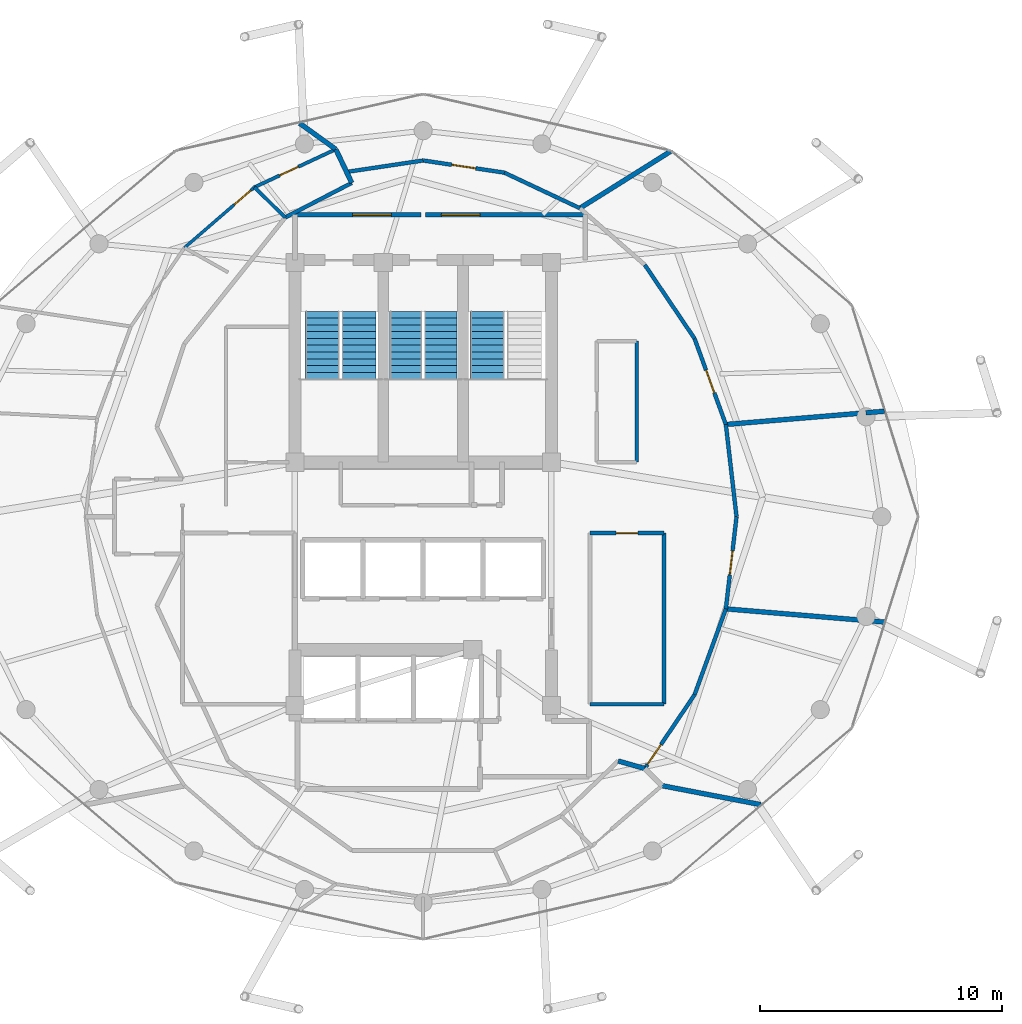
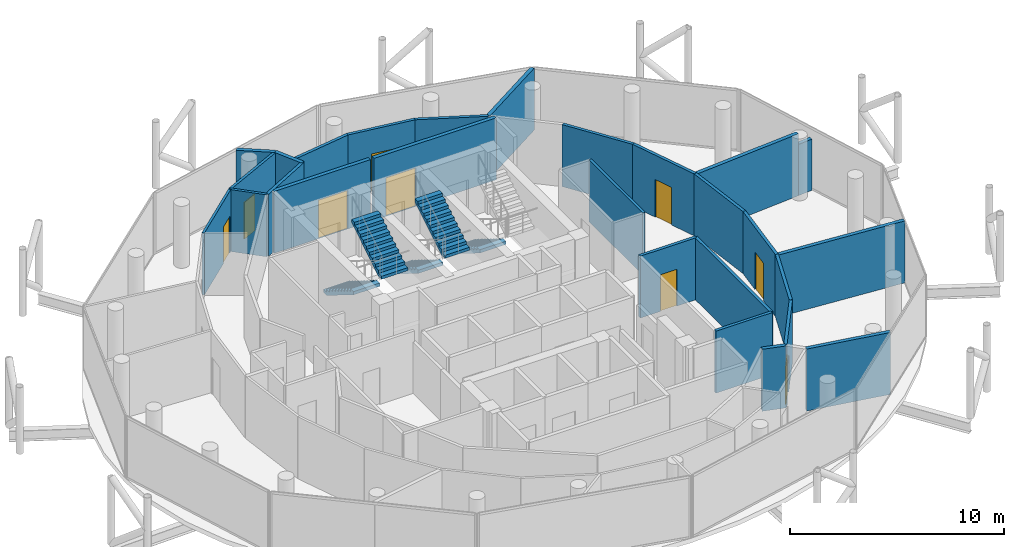
# One storey, part 22 of 24: 27 walls, 9 doors, 5 stair flights, 9 openings, 3 elements without a shape of their own.
"""IFC4 building model written with IfcOpenShell, lengths in metres."""

from ifc_helpers import new_model, si_unit, direction, frame, frame_2d, origin, place, context, subcontext, project, spatial, polyline, rectangle, outline, extrude, material, layer, layer_set, type_object, element, fill, aggregate, save


model = new_model("IFC4")

# Units and contexts
model_context = context("Model", 3, precision=1e-05, world=origin(), true_north=direction((0.0, 1.0)))
body_context = subcontext(model_context, "Body", "Model", "MODEL_VIEW")
ifc_project = project(units=[si_unit("LENGTHUNIT", "METRE"), si_unit("AREAUNIT", "SQUARE_METRE"), si_unit("VOLUMEUNIT", "CUBIC_METRE"), si_unit("PLANEANGLEUNIT", "RADIAN"), si_unit("MASSUNIT", "GRAM", prefix="KILO")], contexts=[model_context])

# Site, building, storey
site_placement = place(None, origin())
site = spatial("IfcSite", under=ifc_project, at=site_placement, CompositionType="ELEMENT")
building_placement = place(site_placement, origin())
building = spatial("IfcBuilding", under=site, at=building_placement, Name="Nuhasar Tower", CompositionType="ELEMENT")
storey_placement = place(building_placement, frame((0.0, 0.0, 286.0)))
storey = spatial("IfcBuildingStorey", under=building, at=storey_placement, Name="L71", CompositionType="ELEMENT", Elevation=286.0)

# Walls
ifc_material_1 = material(Name="Gypsum Board", Category="gypsum")
ifc_layer_1 = layer(ifc_material_1, 0.159912109375)
ifc_layer_set_1 = layer_set([ifc_layer_1], Name="Gypsum Board")
wall_type_1 = type_object("IfcWallType", Name="WL-CORR-160", PredefinedType="PARTITIONING", material=ifc_layer_set_1)
wall_1_placement = place(storey_placement, frame((45.89990234375, 19.050048828125, 0.0), z_axis=(0.0, 0.0, 1.0), x_axis=(1.0, 0.0, 0.0)))
element("IfcWall", 1, at=wall_1_placement, inside=storey, type_object=wall_type_1, Name="L71 Interior Partition RECL-B2-S", PredefinedType="PARTITIONING", context=body_context, shape_type="SweptSolid", body=[
    extrude(rectangle(XDim=3.050048828125, YDim=0.159912109375, at=frame_2d((1.52490234375, 0.0))), origin(), (0.0, 0.0, 1.0), 3.5400390625),
])
wall_2_placement = place(storey_placement, frame((48.949951171875, 19.050048828125, 0.0), z_axis=(0.0, 0.0, 1.0), x_axis=(0.0, 1.0, 0.0)))
element("IfcWall", 2, at=wall_2_placement, inside=storey, type_object=wall_type_1, Name="L71 Interior Partition RECL-B2-E", PredefinedType="PARTITIONING", context=body_context, shape_type="SweptSolid", body=[
    extrude(rectangle(XDim=7.070068359375, YDim=0.159912109375, at=frame_2d((3.53515625, 0.0))), origin(), (0.0, 0.0, 1.0), 3.5400390625),
])

# Wall, opening, door
wall_3_placement = place(storey_placement, frame((48.949951171875, 26.1201171875, 0.0), z_axis=(0.0, 0.0, 1.0), x_axis=(-1.0, 0.0, 0.0)))
wall_3 = element("IfcWall", 3, at=wall_3_placement, inside=storey, type_object=wall_type_1, Name="L71 Interior Partition RECL-B2-N", PredefinedType="PARTITIONING", context=body_context, shape_type="SweptSolid", body=[
    extrude(rectangle(XDim=3.050048828125, YDim=0.159912109375, at=frame_2d((1.52490234375, 0.0))), origin(), (0.0, 0.0, 1.0), 3.5400390625),
])
opening_1_placement = place(wall_3_placement, frame((1.074951171875, 0.0, 0.0)))
opening_1 = element("IfcOpeningElement", 4, at=opening_1_placement, cuts=wall_3, Name="Opening DR-01", PredefinedType="OPENING", context=body_context, shape_type="SweptSolid", body=[
    extrude(rectangle(XDim=0.89990234375, YDim=2.10009765625, at=frame_2d((0.449951171875, 1.050048828125))), frame((0.0, 0.08984375, 0.0), z_axis=(0.0, -1.0, 0.0), x_axis=(1.0, 0.0, 0.0)), (0.0, 0.0, 1.0), 0.179931640625),
])
ifc_material_2 = material(Name="Timber Oak", Category="wood")
door_type_1 = type_object("IfcDoorType", Name="DR-ROOM-900", OperationType="NOTDEFINED", PredefinedType="DOOR", material=ifc_material_2)
door_1_placement = place(opening_1_placement, origin())
door_1 = element("IfcDoor", 5, at=door_1_placement, inside=storey, type_object=door_type_1, Name="L71 Resident Library Door", OperationType="SINGLE_SWING_LEFT", OverallHeight=2.10009765625, OverallWidth=0.89990234375, PredefinedType="DOOR", context=body_context, shape_type="SweptSolid", body=[
    extrude(rectangle(XDim=0.89990234375, YDim=2.10009765625, at=frame_2d((0.449951171875, 1.050048828125))), frame((0.0, 0.02490234375, 0.0), z_axis=(0.0, -1.0, 0.0), x_axis=(1.0, 0.0, 0.0)), (0.0, 0.0, 1.0), 0.050048828125),
])
fill(opening_1, door_1)

wall_4_placement = place(storey_placement, frame((50.215087890625, 19.43994140625, 0.0), z_axis=(0.0, 0.0, 1.0), x_axis=(-0.559500212071, -0.828830207396, 0.0)))
wall_4 = element("IfcWall", 6, at=wall_4_placement, inside=storey, type_object=wall_type_1, Name="L71 Interior Partition CORR-42", PredefinedType="PARTITIONING", context=body_context, shape_type="SweptSolid", body=[
    extrude(rectangle(XDim=3.678466796875, YDim=0.159912109375, at=frame_2d((1.83935546875, 0.0))), origin(), (0.0, 0.0, 1.0), 3.5400390625),
])
opening_2_placement = place(wall_4_placement, frame((2.47900390625, 0.0, 0.0)))
opening_2 = element("IfcOpeningElement", 7, at=opening_2_placement, cuts=wall_4, Name="Opening DU-02", PredefinedType="OPENING", context=body_context, shape_type="SweptSolid", body=[
    extrude(rectangle(XDim=1.0, YDim=2.14990234375, at=frame_2d((0.5, 1.074951171875))), frame((0.0, 0.08984375, 0.0), z_axis=(0.0, -1.0, 0.0), x_axis=(1.0, 0.0, 0.0)), (0.0, 0.0, 1.0), 0.179931640625),
])
door_type_2 = type_object("IfcDoorType", Name="DR-FLAT-FD60-1000", OperationType="NOTDEFINED", PredefinedType="DOOR", material=ifc_material_2)
door_2_placement = place(opening_2_placement, origin())
door_2 = element("IfcDoor", 8, at=door_2_placement, inside=storey, type_object=door_type_2, Name="L71 Summit Sommelier Tasting Pantry Entrance Door", OperationType="SINGLE_SWING_RIGHT", OverallHeight=2.14990234375, OverallWidth=1.0, PredefinedType="DOOR", context=body_context, shape_type="SweptSolid", body=[
    extrude(rectangle(XDim=1.0, YDim=2.14990234375, at=frame_2d((0.5, 1.074951171875))), frame((0.0, 0.02490234375, 0.0), z_axis=(0.0, -1.0, 0.0), x_axis=(1.0, 0.0, 0.0)), (0.0, 0.0, 1.0), 0.050048828125),
])
fill(opening_2, door_2)

# Wall
wall_5_placement = place(storey_placement, frame((50.215087890625, 19.43994140625, 0.0), z_axis=(0.0, 0.0, 1.0), x_axis=(0.342448521092, 0.939536593434, 0.0)))
element("IfcWall", 9, at=wall_5_placement, inside=storey, type_object=wall_type_1, Name="L71 Interior Partition CORR-44", PredefinedType="PARTITIONING", context=body_context, shape_type="SweptSolid", body=[
    extrude(rectangle(XDim=3.778564453125, YDim=0.159912109375, at=frame_2d((1.88916015625, 0.0))), origin(), (0.0, 0.0, 1.0), 3.5400390625),
])

# Wall, opening, door
wall_6_placement = place(storey_placement, frame((51.949951171875, 26.800048828125, 0.0), z_axis=(0.0, 0.0, 1.0), x_axis=(-0.114957513723, -0.993370409283, 0.0)))
wall_6 = element("IfcWall", 10, at=wall_6_placement, inside=storey, type_object=wall_type_1, Name="L71 Interior Partition CORR-46", PredefinedType="PARTITIONING", context=body_context, shape_type="SweptSolid", body=[
    extrude(rectangle(XDim=3.83544921875, YDim=0.159912109375, at=frame_2d((1.917724609375, 0.0))), origin(), (0.0, 0.0, 1.0), 3.5400390625),
])
opening_3_placement = place(wall_6_placement, frame((1.41796875, 0.0, 0.0)))
opening_3 = element("IfcOpeningElement", 11, at=opening_3_placement, cuts=wall_6, Name="Opening DU-02", PredefinedType="OPENING", context=body_context, shape_type="SweptSolid", body=[
    extrude(rectangle(XDim=1.0, YDim=2.14990234375, at=frame_2d((0.5, 1.074951171875))), frame((0.0, 0.08984375, 0.0), z_axis=(0.0, -1.0, 0.0), x_axis=(1.0, 0.0, 0.0)), (0.0, 0.0, 1.0), 0.179931640625),
])
door_3_placement = place(opening_3_placement, origin())
door_3 = element("IfcDoor", 12, at=door_3_placement, inside=storey, type_object=door_type_2, Name="L71 Summit Private Chef Pantry Entrance Door", OperationType="SINGLE_SWING_RIGHT", OverallHeight=2.14990234375, OverallWidth=1.0, PredefinedType="DOOR", context=body_context, shape_type="SweptSolid", body=[
    extrude(rectangle(XDim=1.0, YDim=2.14990234375, at=frame_2d((0.5, 1.074951171875))), frame((0.0, 0.02490234375, 0.0), z_axis=(0.0, -1.0, 0.0), x_axis=(1.0, 0.0, 0.0)), (0.0, 0.0, 1.0), 0.050048828125),
])
fill(opening_3, door_3)

# Wall
wall_7_placement = place(storey_placement, frame((51.949951171875, 26.800048828125, 0.0), z_axis=(0.0, 0.0, 1.0), x_axis=(-0.114957513723, 0.993370409283, 0.0)))
element("IfcWall", 13, at=wall_7_placement, inside=storey, type_object=wall_type_1, Name="L71 Interior Partition CORR-00", PredefinedType="PARTITIONING", context=body_context, shape_type="SweptSolid", body=[
    extrude(rectangle(XDim=3.83544921875, YDim=0.159912109375, at=frame_2d((1.917724609375, 0.0))), origin(), (0.0, 0.0, 1.0), 3.5400390625),
])

# Wall, opening, door
wall_8_placement = place(storey_placement, frame((50.215087890625, 34.159912109375, 0.0), z_axis=(0.0, 0.0, 1.0), x_axis=(0.342469311022, -0.939529015522, 0.0)))
wall_8 = element("IfcWall", 14, at=wall_8_placement, inside=storey, type_object=wall_type_1, Name="L71 Interior Partition CORR-02", PredefinedType="PARTITIONING", context=body_context, shape_type="SweptSolid", body=[
    extrude(rectangle(XDim=3.7783203125, YDim=0.159912109375, at=frame_2d((1.88916015625, 0.0))), origin(), (0.0, 0.0, 1.0), 3.5400390625),
])
opening_4_placement = place(wall_8_placement, frame((1.388916015625, 0.0, 0.0)))
opening_4 = element("IfcOpeningElement", 15, at=opening_4_placement, cuts=wall_8, Name="Opening DU-02", PredefinedType="OPENING", context=body_context, shape_type="SweptSolid", body=[
    extrude(rectangle(XDim=1.0, YDim=2.14990234375, at=frame_2d((0.5, 1.074951171875))), frame((0.0, 0.08984375, 0.0), z_axis=(0.0, -1.0, 0.0), x_axis=(1.0, 0.0, 0.0)), (0.0, 0.0, 1.0), 0.179931640625),
])
door_4_placement = place(opening_4_placement, origin())
door_4 = element("IfcDoor", 16, at=door_4_placement, inside=storey, type_object=door_type_2, Name="L71 Summit Music Recital Room Entrance Door", OperationType="SINGLE_SWING_RIGHT", OverallHeight=2.14990234375, OverallWidth=1.0, PredefinedType="DOOR", context=body_context, shape_type="SweptSolid", body=[
    extrude(rectangle(XDim=1.0, YDim=2.14990234375, at=frame_2d((0.5, 1.074951171875))), frame((0.0, 0.02490234375, 0.0), z_axis=(0.0, -1.0, 0.0), x_axis=(1.0, 0.0, 0.0)), (0.0, 0.0, 1.0), 0.050048828125),
])
fill(opening_4, door_4)

# Walls
wall_9_placement = place(storey_placement, frame((50.215087890625, 34.159912109375, 0.0), z_axis=(0.0, 0.0, 1.0), x_axis=(-0.559469435513, 0.82885098222, 0.0)))
element("IfcWall", 17, at=wall_9_placement, inside=storey, type_object=wall_type_1, Name="L71 Interior Partition CORR-04", PredefinedType="PARTITIONING", context=body_context, shape_type="SweptSolid", body=[
    extrude(rectangle(XDim=3.6787109375, YDim=0.159912109375, at=frame_2d((1.83935546875, 0.0))), origin(), (0.0, 0.0, 1.0), 3.5400390625),
])
wall_10_placement = place(storey_placement, frame((45.47509765625, 39.548095703125, 0.0), z_axis=(0.0, 0.0, 1.0), x_axis=(-0.904785037248, 0.425868567016, 0.0)))
element("IfcWall", 18, at=wall_10_placement, inside=storey, type_object=wall_type_1, Name="L71 Interior Partition CORR-08", PredefinedType="PARTITIONING", context=body_context, shape_type="SweptSolid", body=[
    extrude(rectangle(XDim=3.45166015625, YDim=0.159912109375, at=frame_2d((1.725830078125, 0.0))), origin(), (0.0, 0.0, 1.0), 3.5400390625),
])

# Wall, opening, door
wall_11_placement = place(storey_placement, frame((39.0, 41.52001953125, 0.0), z_axis=(0.0, 0.0, 1.0), x_axis=(0.988973305804, -0.148093890512, 0.0)))
wall_11 = element("IfcWall", 19, at=wall_11_placement, inside=storey, type_object=wall_type_1, Name="L71 Interior Partition CORR-10", PredefinedType="PARTITIONING", context=body_context, shape_type="SweptSolid", body=[
    extrude(rectangle(XDim=3.389404296875, YDim=0.159912109375, at=frame_2d((1.69482421875, 0.0))), origin(), (0.0, 0.0, 1.0), 3.5400390625),
])
opening_5_placement = place(wall_11_placement, frame((1.195068359375, 0.0, 0.0)))
opening_5 = element("IfcOpeningElement", 20, at=opening_5_placement, cuts=wall_11, Name="Opening DU-02", PredefinedType="OPENING", context=body_context, shape_type="SweptSolid", body=[
    extrude(rectangle(XDim=1.0, YDim=2.14990234375, at=frame_2d((0.5, 1.074951171875))), frame((0.0, 0.08984375, 0.0), z_axis=(0.0, -1.0, 0.0), x_axis=(1.0, 0.0, 0.0)), (0.0, 0.0, 1.0), 0.179931640625),
])
door_5_placement = place(opening_5_placement, origin())
door_5 = element("IfcDoor", 21, at=door_5_placement, inside=storey, type_object=door_type_2, Name="L71 Summit Private Cinema Room Entrance Door", OperationType="SINGLE_SWING_RIGHT", OverallHeight=2.14990234375, OverallWidth=1.0, PredefinedType="DOOR", context=body_context, shape_type="SweptSolid", body=[
    extrude(rectangle(XDim=1.0, YDim=2.14990234375, at=frame_2d((0.5, 1.074951171875))), frame((0.0, 0.02490234375, 0.0), z_axis=(0.0, -1.0, 0.0), x_axis=(1.0, 0.0, 0.0)), (0.0, 0.0, 1.0), 0.050048828125),
])
fill(opening_5, door_5)

# Walls
wall_12_placement = place(storey_placement, frame((39.0, 41.52001953125, 0.0), z_axis=(0.0, 0.0, 1.0), x_axis=(-0.988972124558, -0.148101778678, 0.0)))
element("IfcWall", 22, at=wall_12_placement, inside=storey, type_object=wall_type_1, Name="L71 Interior Partition CORR-12", PredefinedType="PARTITIONING", context=body_context, shape_type="SweptSolid", body=[
    extrude(rectangle(XDim=3.201416015625, YDim=0.159912109375, at=frame_2d((1.6005859375, 0.0))), origin(), (0.0, 0.0, 1.0), 3.5400390625),
])
wall_13_placement = place(storey_placement, frame((36.049072265625, 40.593017578125, 0.0), z_axis=(0.0, 0.0, 1.0), x_axis=(-0.887674575788, -0.460471331898, 0.0)))
element("IfcWall", 23, at=wall_13_placement, inside=storey, type_object=wall_type_1, Name="L71 Interior Partition UWEST-CORE-N1-14", PredefinedType="PARTITIONING", context=body_context, shape_type="SweptSolid", body=[
    extrude(rectangle(XDim=3.096923828125, YDim=0.159912109375, at=frame_2d((1.54833984375, 0.0))), origin(), (0.0, 0.0, 1.0), 3.5400390625),
])

# Wall, opening, door
ifc_material_3 = material(Name="Concrete C45/55", Category="concrete")
ifc_layer_2 = layer(ifc_material_3, 0.199951171875)
ifc_layer_set_2 = layer_set([ifc_layer_2], Name="Concrete C45/55")
wall_type_2 = type_object("IfcWallType", Name="WL-LOBBY-200", PredefinedType="SOLIDWALL", material=ifc_layer_set_2)
wall_14_placement = place(storey_placement, frame((38.89990234375, 39.280029296875, 0.0), z_axis=(0.0, 0.0, 1.0), x_axis=(-1.0, 0.0, 0.0)))
wall_14 = element("IfcWall", 24, at=wall_14_placement, inside=storey, type_object=wall_type_2, Name="L71 Interior Partition NSL-N1", PredefinedType="SOLIDWALL", context=body_context, shape_type="SweptSolid", body=[
    extrude(rectangle(XDim=5.199951171875, YDim=0.199951171875, at=frame_2d((2.60009765625, 0.0))), origin(), (0.0, 0.0, 1.0), 3.5400390625),
])
opening_6_placement = place(wall_14_placement, frame((1.216064453125, 0.0, 0.0)))
opening_6 = element("IfcOpeningElement", 25, at=opening_6_placement, cuts=wall_14, Name="Opening DC-01", PredefinedType="OPENING", context=body_context, shape_type="SweptSolid", body=[
    extrude(rectangle(XDim=1.60009765625, YDim=2.199951171875, at=frame_2d((0.800048828125, 1.10009765625))), frame((0.0, 0.10986328125, 0.0), z_axis=(0.0, -1.0, 0.0), x_axis=(1.0, 0.0, 0.0)), (0.0, 0.0, 1.0), 0.219970703125),
])
ifc_material_4 = material(Name="Steel S355", Category="steel")
door_type_3 = type_object("IfcDoorType", Name="DR-CORR-FD60-1600", OperationType="DOUBLE_DOOR_SINGLE_SWING", PredefinedType="DOOR", material=ifc_material_4)
door_6_placement = place(opening_6_placement, origin())
door_6 = element("IfcDoor", 26, at=door_6_placement, inside=storey, type_object=door_type_3, Name="L71 North Stair Lobby West Door", OperationType="DOUBLE_DOOR_SINGLE_SWING", OverallHeight=2.199951171875, OverallWidth=1.60009765625, PredefinedType="DOOR", context=body_context, shape_type="SweptSolid", body=[
    extrude(rectangle(XDim=1.60009765625, YDim=2.199951171875, at=frame_2d((0.800048828125, 1.10009765625))), frame((0.0, 0.02490234375, 0.0), z_axis=(0.0, -1.0, 0.0), x_axis=(1.0, 0.0, 0.0)), (0.0, 0.0, 1.0), 0.050048828125),
])
fill(opening_6, door_6)

wall_15_placement = place(storey_placement, frame((45.699951171875, 39.280029296875, 0.0), z_axis=(0.0, 0.0, 1.0), x_axis=(-1.0, 0.0, 0.0)))
wall_15 = element("IfcWall", 27, at=wall_15_placement, inside=storey, type_object=wall_type_2, Name="L71 Interior Partition NSL-N2", PredefinedType="SOLIDWALL", context=body_context, shape_type="SweptSolid", body=[
    extrude(rectangle(XDim=6.599853515625, YDim=0.199951171875, at=frame_2d((3.2998046875, 0.0))), origin(), (0.0, 0.0, 1.0), 3.5400390625),
])
opening_7_placement = place(wall_15_placement, frame((4.35009765625, 0.0, 0.0)))
opening_7 = element("IfcOpeningElement", 28, at=opening_7_placement, cuts=wall_15, Name="Opening DC-01", PredefinedType="OPENING", context=body_context, shape_type="SweptSolid", body=[
    extrude(rectangle(XDim=1.60009765625, YDim=2.199951171875, at=frame_2d((0.800048828125, 1.10009765625))), frame((0.0, 0.10986328125, 0.0), z_axis=(0.0, -1.0, 0.0), x_axis=(1.0, 0.0, 0.0)), (0.0, 0.0, 1.0), 0.219970703125),
])
door_7_placement = place(opening_7_placement, origin())
door_7 = element("IfcDoor", 29, at=door_7_placement, inside=storey, type_object=door_type_3, Name="L71 North Stair Lobby East Door", OperationType="DOUBLE_DOOR_SINGLE_SWING", OverallHeight=2.199951171875, OverallWidth=1.60009765625, PredefinedType="DOOR", context=body_context, shape_type="SweptSolid", body=[
    extrude(rectangle(XDim=1.60009765625, YDim=2.199951171875, at=frame_2d((0.800048828125, 1.10009765625))), frame((0.0, 0.02490234375, 0.0), z_axis=(0.0, -1.0, 0.0), x_axis=(1.0, 0.0, 0.0)), (0.0, 0.0, 1.0), 0.050048828125),
])
fill(opening_7, door_7)

ifc_layer_3 = layer(ifc_material_1, 0.125)
ifc_layer_set_3 = layer_set([ifc_layer_3], Name="Gypsum Board")
wall_type_3 = type_object("IfcWallType", Name="WL-PART-125", PredefinedType="PARTITIONING", material=ifc_layer_set_3)
wall_16_placement = place(storey_placement, frame((29.135986328125, 37.916015625, 0.0), z_axis=(0.0, 0.0, 1.0), x_axis=(0.756424716633, 0.654080765706, 0.0)))
wall_16 = element("IfcWall", 30, at=wall_16_placement, inside=storey, type_object=wall_type_3, Name="L71 Interior Partition USM-1-K-16", PredefinedType="PARTITIONING", context=body_context, shape_type="SweptSolid", body=[
    extrude(rectangle(XDim=3.819091796875, YDim=0.125, at=frame_2d((1.90966796875, 0.0))), origin(), (0.0, 0.0, 1.0), 3.5400390625),
])
opening_8_placement = place(wall_16_placement, frame((2.718994140625, 0.0, 0.0)))
opening_8 = element("IfcOpeningElement", 31, at=opening_8_placement, cuts=wall_16, Name="Opening DR-01", PredefinedType="OPENING", context=body_context, shape_type="SweptSolid", body=[
    extrude(rectangle(XDim=0.89990234375, YDim=2.10009765625, at=frame_2d((0.449951171875, 1.050048828125))), frame((0.0, 0.072509765625, 0.0), z_axis=(0.0, -1.0, 0.0), x_axis=(1.0, 0.0, 0.0)), (0.0, 0.0, 1.0), 0.14501953125),
])
door_8_placement = place(opening_8_placement, origin())
door_8 = element("IfcDoor", 32, at=door_8_placement, inside=storey, type_object=door_type_1, Name="L71 North-West Sky Home Kitchen Door", OperationType="SINGLE_SWING_RIGHT", OverallHeight=2.10009765625, OverallWidth=0.89990234375, PredefinedType="DOOR", context=body_context, shape_type="SweptSolid", body=[
    extrude(rectangle(XDim=0.89990234375, YDim=2.10009765625, at=frame_2d((0.449951171875, 1.050048828125))), frame((0.0, 0.02490234375, 0.0), z_axis=(0.0, -1.0, 0.0), x_axis=(1.0, 0.0, 0.0)), (0.0, 0.0, 1.0), 0.050048828125),
])
fill(opening_8, door_8)

# Walls
ifc_material_5 = material(Name="Concrete C40/50 precast", Category="concrete")
ifc_layer_4 = layer(ifc_material_5, 0.199951171875)
ifc_layer_set_4 = layer_set([ifc_layer_4], Name="Concrete C40/50 precast")
wall_type_4 = type_object("IfcWallType", Name="WL-UNIT-200", PredefinedType="PARTITIONING", material=ifc_layer_set_4)
wall_17_placement = place(storey_placement, frame((36.049072265625, 40.593017578125, 0.0), z_axis=(0.0, 0.0, 1.0), x_axis=(-0.428788325004, 0.903404987998, 0.0)))
element("IfcWall", 33, at=wall_17_placement, inside=storey, type_object=wall_type_4, Name="L71 Interior Partition URAD-14-NW-S1", PredefinedType="PARTITIONING", context=body_context, shape_type="SweptSolid", body=[
    extrude(rectangle(XDim=1.53955078125, YDim=0.199951171875, at=frame_2d((0.769775390625, 0.0))), origin(), (0.0, 0.0, 1.0), 3.5400390625),
])
wall_18_placement = place(storey_placement, frame((35.388916015625, 41.98388671875, 0.0), z_axis=(0.0, 0.0, 1.0), x_axis=(-0.812072329423, 0.583556793967, 0.0)))
element("IfcWall", 34, at=wall_18_placement, inside=storey, type_object=wall_type_4, Name="L71 Interior Partition URAD-14-NW-S2", PredefinedType="PARTITIONING", context=body_context, shape_type="SweptSolid", body=[
    extrude(rectangle(XDim=1.8408203125, YDim=0.199951171875, at=frame_2d((0.92041015625, 0.0))), origin(), (0.0, 0.0, 1.0), 3.5400390625),
])
wall_19_placement = place(storey_placement, frame((47.06103515625, 16.702880859375, 0.0), z_axis=(0.0, 0.0, 1.0), x_axis=(0.961838648626, -0.273617276519, 0.0)))
element("IfcWall", 35, at=wall_19_placement, inside=storey, type_object=wall_type_4, Name="L71 Interior Partition URAD-42-SW-S1", PredefinedType="PARTITIONING", context=body_context, shape_type="SweptSolid", body=[
    extrude(rectangle(XDim=1.139404296875, YDim=0.199951171875, at=frame_2d((0.56982421875, 0.0))), origin(), (0.0, 0.0, 1.0), 3.5400390625),
])
wall_20_placement = place(storey_placement, frame((48.864013671875, 15.68408203125, 0.0), z_axis=(0.0, 0.0, 1.0), x_axis=(0.982041578383, -0.188664618643, 0.0)))
element("IfcWall", 36, at=wall_20_placement, inside=storey, type_object=wall_type_4, Name="L71 Interior Partition URAD-42-SW-S3", PredefinedType="PARTITIONING", context=body_context, shape_type="SweptSolid", body=[
    extrude(rectangle(XDim=4.16162109375, YDim=0.199951171875, at=frame_2d((2.080810546875, 0.0))), origin(), (0.0, 0.0, 1.0), 3.5400390625),
])
wall_21_placement = place(storey_placement, frame((51.509033203125, 22.989990234375, 0.0), z_axis=(0.0, 0.0, 1.0), x_axis=(0.996542682524, -0.083082380243, 0.0)))
element("IfcWall", 37, at=wall_21_placement, inside=storey, type_object=wall_type_4, Name="L71 Interior Partition URAD-46", PredefinedType="PARTITIONING", context=body_context, shape_type="SweptSolid", body=[
    extrude(rectangle(XDim=6.570556640625, YDim=0.199951171875, at=frame_2d((3.28515625, 0.0))), origin(), (0.0, 0.0, 1.0), 3.5400390625),
])
wall_22_placement = place(storey_placement, frame((51.509033203125, 30.610107421875, 0.0), z_axis=(0.0, 0.0, 1.0), x_axis=(0.996533856129, 0.083188181786, 0.0)))
element("IfcWall", 38, at=wall_22_placement, inside=storey, type_object=wall_type_4, Name="L71 Interior Partition URAD-02", PredefinedType="PARTITIONING", context=body_context, shape_type="SweptSolid", body=[
    extrude(rectangle(XDim=5.804931640625, YDim=0.199951171875, at=frame_2d((2.90234375, 0.0))), origin(), (0.0, 0.0, 1.0), 3.5400390625),
])
wall_23_placement = place(storey_placement, frame((57.2939453125, 31.093017578125, 0.0), z_axis=(0.0, 0.0, 1.0), x_axis=(0.996503847664, 0.083546882588, 0.0)))
element("IfcWall", 39, at=wall_23_placement, inside=storey, type_object=wall_type_4, Name="L71 Interior Partition URAD-02", PredefinedType="PARTITIONING", context=body_context, shape_type="SweptSolid", body=[
    extrude(rectangle(XDim=0.765625, YDim=0.199951171875, at=frame_2d((0.3828125, 0.0))), origin(), (0.0, 0.0, 1.0), 2.925048828125),
])
wall_24_placement = place(storey_placement, frame((45.47509765625, 39.548095703125, 0.0), z_axis=(0.0, 0.0, 1.0), x_axis=(0.847419415202, 0.530924038577, 0.0)))
element("IfcWall", 40, at=wall_24_placement, inside=storey, type_object=wall_type_4, Name="L71 Interior Partition URAD-08", PredefinedType="PARTITIONING", context=body_context, shape_type="SweptSolid", body=[
    extrude(rectangle(XDim=4.410888671875, YDim=0.199951171875, at=frame_2d((2.20556640625, 0.0))), origin(), (0.0, 0.0, 1.0), 3.5400390625),
])
ifc_layer_5 = layer(ifc_material_5, 0.139892578125)
ifc_layer_set_5 = layer_set([ifc_layer_5], Name="Concrete C40/50 precast")
wall_type_5 = type_object("IfcWallType", Name="WL-WET-140", PredefinedType="PARTITIONING", material=ifc_layer_set_5)
wall_25_placement = place(storey_placement, frame((47.820068359375, 29.050048828125, 0.0), z_axis=(0.0, 0.0, 1.0), x_axis=(0.0, 1.0, 0.0)))
element("IfcWall", 41, at=wall_25_placement, inside=storey, type_object=wall_type_5, Name="L71 Interior Partition K3-NE-E", PredefinedType="PARTITIONING", context=body_context, shape_type="SweptSolid", body=[
    extrude(rectangle(XDim=5.0, YDim=0.139892578125, at=frame_2d((2.5, 0.0))), origin(), (0.0, 0.0, 1.0), 3.5400390625),
])
wall_26_placement = place(storey_placement, frame((33.300048828125, 39.1669921875, 0.0), z_axis=(0.0, 0.0, 1.0), x_axis=(-0.714933679917, 0.699192272069, 0.0)))
element("IfcWall", 42, at=wall_26_placement, inside=storey, type_object=wall_type_5, Name="L71 Interior Partition USI-1-BK", PredefinedType="PARTITIONING", context=body_context, shape_type="SweptSolid", body=[
    extrude(rectangle(XDim=1.78369140625, YDim=0.139892578125, at=frame_2d((0.891845703125, 0.0))), origin(), (0.0, 0.0, 1.0), 3.5400390625),
])

# Wall, opening, door
wall_27_placement = place(storey_placement, frame((32.02490234375, 40.4140625, 0.0), z_axis=(0.0, 0.0, 1.0), x_axis=(0.906188180382, 0.422874664334, 0.0)))
wall_27 = element("IfcWall", 43, at=wall_27_placement, inside=storey, type_object=wall_type_5, Name="L71 Interior Partition USM-1-B-14", PredefinedType="PARTITIONING", context=body_context, shape_type="SweptSolid", body=[
    extrude(rectangle(XDim=3.712158203125, YDim=0.139892578125, at=frame_2d((1.85595703125, 0.0))), origin(), (0.0, 0.0, 1.0), 3.5400390625),
])
opening_9_placement = place(wall_27_placement, frame((1.154052734375, 0.0, 0.0)))
opening_9 = element("IfcOpeningElement", 44, at=opening_9_placement, cuts=wall_27, Name="Opening DB-01", PredefinedType="OPENING", context=body_context, shape_type="SweptSolid", body=[
    extrude(rectangle(XDim=0.85009765625, YDim=2.10009765625, at=frame_2d((0.425048828125, 1.050048828125))), frame((0.0, 0.080078125, 0.0), z_axis=(0.0, -1.0, 0.0), x_axis=(1.0, 0.0, 0.0)), (0.0, 0.0, 1.0), 0.159912109375),
])
door_type_4 = type_object("IfcDoorType", Name="DR-BATH-850", OperationType="NOTDEFINED", PredefinedType="DOOR", material=ifc_material_2)
door_9_placement = place(opening_9_placement, origin())
door_9 = element("IfcDoor", 45, at=door_9_placement, inside=storey, type_object=door_type_4, Name="L71 North-West Sky Home En-Suite Door", OperationType="SINGLE_SWING_LEFT", OverallHeight=2.10009765625, OverallWidth=0.85009765625, PredefinedType="DOOR", context=body_context, shape_type="SweptSolid", body=[
    extrude(rectangle(XDim=0.85009765625, YDim=2.10009765625, at=frame_2d((0.425048828125, 1.050048828125))), frame((0.0, 0.02490234375, 0.0), z_axis=(0.0, -1.0, 0.0), x_axis=(1.0, 0.0, 0.0)), (0.0, 0.0, 1.0), 0.050048828125),
])
fill(opening_9, door_9)

# Stair, stair flights
stair_type_1 = type_object("IfcStairType", Name="STR-ST-01-2F-22R-1727", PredefinedType="HALF_TURN_STAIR", material=ifc_material_3)
stair_1_placement = place(storey_placement, origin())
stair_1 = element("IfcStair", 46, at=stair_1_placement, inside=storey, type_object=stair_type_1, Name="L71 Exit Stair ST-01", PredefinedType="HALF_TURN_STAIR")
stair_flight_type_1 = type_object("IfcStairFlightType", Name="SFL-ST-01-11R-1727", PredefinedType="STRAIGHT", material=ifc_material_3)
stair_flight_1_placement = place(storey_placement, frame((34.830078125, 35.284912109375, 0.0), z_axis=(0.0, 0.0, 1.0), x_axis=(0.0, -1.0, 0.0)))
stair_flight_1 = element("IfcStairFlight", 47, at=stair_flight_1_placement, type_object=stair_flight_type_1, Name="ST-01 flight 1", NumberOfRisers=11, NumberOfTreads=10, PredefinedType="STRAIGHT", RiserHeight=0.172727, TreadLength=0.28, context=body_context, shape_type="SweptSolid", body=[
    extrude(outline(polyline([(0.0, 0.0), (0.0, 0.172607421875), (0.280029296875, 0.172607421875), (0.280029296875, 0.345458984375), (0.56005859375, 0.345458984375), (0.56005859375, 0.51806640625), (0.840087890625, 0.51806640625), (0.840087890625, 0.69091796875), (1.1201171875, 0.69091796875), (1.1201171875, 0.863525390625), (1.39990234375, 0.863525390625), (1.39990234375, 1.036376953125), (1.679931640625, 1.036376953125), (1.679931640625, 1.208984375), (1.9599609375, 1.208984375), (1.9599609375, 1.3818359375), (2.239990234375, 1.3818359375), (2.239990234375, 1.554443359375), (2.52001953125, 1.554443359375), (2.52001953125, 1.727294921875), (2.800048828125, 1.727294921875), (2.800048828125, 1.89990234375), (2.800048828125, 1.539306640625), (0.3046875, 0.0), (0.0, 0.0)])), frame((0.0, 0.7099609375, 0.0), z_axis=(0.0, -1.0, 0.0), x_axis=(1.0, 0.0, 0.0)), (0.0, 0.0, 1.0), 1.419921875),
])
stair_flight_2_placement = place(storey_placement, frame((36.35009765625, 32.485107421875, 1.89990234375), z_axis=(0.0, 0.0, 1.0), x_axis=(0.0, 1.0, 0.0)))
stair_flight_2 = element("IfcStairFlight", 48, at=stair_flight_2_placement, type_object=stair_flight_type_1, Name="ST-01 flight 2", NumberOfRisers=11, NumberOfTreads=10, PredefinedType="STRAIGHT", RiserHeight=0.172727, TreadLength=0.28, context=body_context, shape_type="SweptSolid", body=[
    extrude(outline(polyline([(0.0, 0.0), (0.0, 0.172607421875), (0.280029296875, 0.172607421875), (0.280029296875, 0.345458984375), (0.56005859375, 0.345458984375), (0.56005859375, 0.51806640625), (0.840087890625, 0.51806640625), (0.840087890625, 0.69091796875), (1.1201171875, 0.69091796875), (1.1201171875, 0.863525390625), (1.39990234375, 0.863525390625), (1.39990234375, 1.036376953125), (1.679931640625, 1.036376953125), (1.679931640625, 1.208984375), (1.9599609375, 1.208984375), (1.9599609375, 1.3818359375), (2.239990234375, 1.3818359375), (2.239990234375, 1.554443359375), (2.52001953125, 1.554443359375), (2.52001953125, 1.727294921875), (2.800048828125, 1.727294921875), (2.800048828125, 1.89990234375), (2.800048828125, 1.539306640625), (0.3046875, 0.0), (0.0, 0.0)])), frame((0.0, 0.7099609375, 0.0), z_axis=(0.0, -1.0, 0.0), x_axis=(1.0, 0.0, 0.0)), (0.0, 0.0, 1.0), 1.419921875),
])
aggregate(stair_1, [stair_flight_1, stair_flight_2])

# Stair, stair flight
stair_type_2 = type_object("IfcStairType", Name="STR-ST-02-2F-22R-1727", PredefinedType="HALF_TURN_STAIR", material=ifc_material_3)
stair_2_placement = place(storey_placement, origin())
stair_2 = element("IfcStair", 49, at=stair_2_placement, inside=storey, type_object=stair_type_2, Name="L71 Exit Stair ST-02", PredefinedType="HALF_TURN_STAIR")
stair_flight_type_2 = type_object("IfcStairFlightType", Name="SFL-ST-02-11R-1727", PredefinedType="STRAIGHT", material=ifc_material_3)
stair_flight_3_placement = place(storey_placement, frame((41.64990234375, 35.284912109375, 0.0), z_axis=(0.0, 0.0, 1.0), x_axis=(0.0, -1.0, 0.0)))
stair_flight_3 = element("IfcStairFlight", 50, at=stair_flight_3_placement, type_object=stair_flight_type_2, Name="ST-02 flight 1", NumberOfRisers=11, NumberOfTreads=10, PredefinedType="STRAIGHT", RiserHeight=0.172727, TreadLength=0.28, context=body_context, shape_type="SweptSolid", body=[
    extrude(outline(polyline([(0.0, 0.0), (0.0, 0.172607421875), (0.280029296875, 0.172607421875), (0.280029296875, 0.345458984375), (0.56005859375, 0.345458984375), (0.56005859375, 0.51806640625), (0.840087890625, 0.51806640625), (0.840087890625, 0.69091796875), (1.1201171875, 0.69091796875), (1.1201171875, 0.863525390625), (1.39990234375, 0.863525390625), (1.39990234375, 1.036376953125), (1.679931640625, 1.036376953125), (1.679931640625, 1.208984375), (1.9599609375, 1.208984375), (1.9599609375, 1.3818359375), (2.239990234375, 1.3818359375), (2.239990234375, 1.554443359375), (2.52001953125, 1.554443359375), (2.52001953125, 1.727294921875), (2.800048828125, 1.727294921875), (2.800048828125, 1.89990234375), (2.800048828125, 1.539306640625), (0.3046875, 0.0), (0.0, 0.0)])), frame((0.0, 0.7099609375, 0.0), z_axis=(0.0, -1.0, 0.0), x_axis=(1.0, 0.0, 0.0)), (0.0, 0.0, 1.0), 1.419921875),
])
aggregate(stair_2, [stair_flight_3])

# Stair, stair flights
stair_type_3 = type_object("IfcStairType", Name="STR-ST-03-2F-22R-1727", PredefinedType="HALF_TURN_STAIR", material=ifc_material_3)
stair_3_placement = place(storey_placement, origin())
stair_3 = element("IfcStair", 51, at=stair_3_placement, inside=storey, type_object=stair_type_3, Name="L71 Exit Stair ST-03", PredefinedType="HALF_TURN_STAIR")
stair_flight_type_3 = type_object("IfcStairFlightType", Name="SFL-ST-03-11R-1727", PredefinedType="STRAIGHT", material=ifc_material_3)
stair_flight_4_placement = place(storey_placement, frame((38.280029296875, 35.284912109375, 0.0), z_axis=(0.0, 0.0, 1.0), x_axis=(0.0, -1.0, 0.0)))
stair_flight_4 = element("IfcStairFlight", 52, at=stair_flight_4_placement, type_object=stair_flight_type_3, Name="ST-03 flight 1", NumberOfRisers=11, NumberOfTreads=10, PredefinedType="STRAIGHT", RiserHeight=0.172727, TreadLength=0.28, context=body_context, shape_type="SweptSolid", body=[
    extrude(outline(polyline([(0.0, 0.0), (0.0, 0.172607421875), (0.280029296875, 0.172607421875), (0.280029296875, 0.345458984375), (0.56005859375, 0.345458984375), (0.56005859375, 0.51806640625), (0.840087890625, 0.51806640625), (0.840087890625, 0.69091796875), (1.1201171875, 0.69091796875), (1.1201171875, 0.863525390625), (1.39990234375, 0.863525390625), (1.39990234375, 1.036376953125), (1.679931640625, 1.036376953125), (1.679931640625, 1.208984375), (1.9599609375, 1.208984375), (1.9599609375, 1.3818359375), (2.239990234375, 1.3818359375), (2.239990234375, 1.554443359375), (2.52001953125, 1.554443359375), (2.52001953125, 1.727294921875), (2.800048828125, 1.727294921875), (2.800048828125, 1.89990234375), (2.800048828125, 1.539306640625), (0.3046875, 0.0), (0.0, 0.0)])), frame((0.0, 0.669921875, 0.0), z_axis=(0.0, -1.0, 0.0), x_axis=(1.0, 0.0, 0.0)), (0.0, 0.0, 1.0), 1.340087890625),
])
stair_flight_5_placement = place(storey_placement, frame((39.719970703125, 32.485107421875, 1.89990234375), z_axis=(0.0, 0.0, 1.0), x_axis=(0.0, 1.0, 0.0)))
stair_flight_5 = element("IfcStairFlight", 53, at=stair_flight_5_placement, type_object=stair_flight_type_3, Name="ST-03 flight 2", NumberOfRisers=11, NumberOfTreads=10, PredefinedType="STRAIGHT", RiserHeight=0.172727, TreadLength=0.28, context=body_context, shape_type="SweptSolid", body=[
    extrude(outline(polyline([(0.0, 0.0), (0.0, 0.172607421875), (0.280029296875, 0.172607421875), (0.280029296875, 0.345458984375), (0.56005859375, 0.345458984375), (0.56005859375, 0.51806640625), (0.840087890625, 0.51806640625), (0.840087890625, 0.69091796875), (1.1201171875, 0.69091796875), (1.1201171875, 0.863525390625), (1.39990234375, 0.863525390625), (1.39990234375, 1.036376953125), (1.679931640625, 1.036376953125), (1.679931640625, 1.208984375), (1.9599609375, 1.208984375), (1.9599609375, 1.3818359375), (2.239990234375, 1.3818359375), (2.239990234375, 1.554443359375), (2.52001953125, 1.554443359375), (2.52001953125, 1.727294921875), (2.800048828125, 1.727294921875), (2.800048828125, 1.89990234375), (2.800048828125, 1.539306640625), (0.3046875, 0.0), (0.0, 0.0)])), frame((0.0, 0.669921875, 0.0), z_axis=(0.0, -1.0, 0.0), x_axis=(1.0, 0.0, 0.0)), (0.0, 0.0, 1.0), 1.340087890625),
])
aggregate(stair_3, [stair_flight_4, stair_flight_5])

save(model, "model.ifc")
